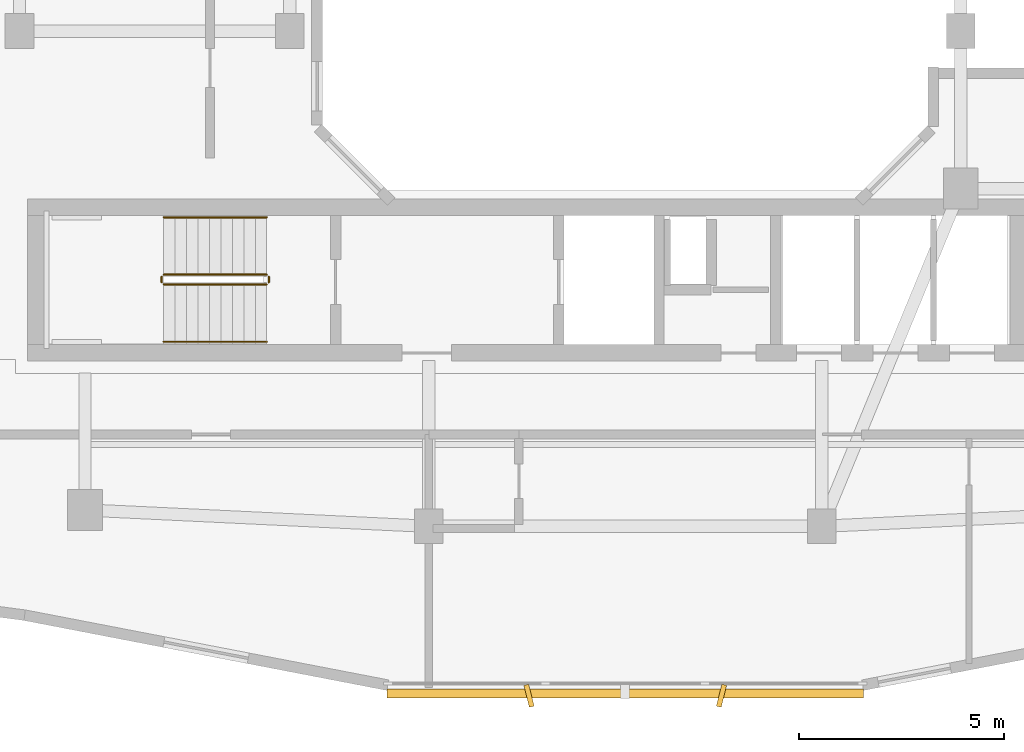
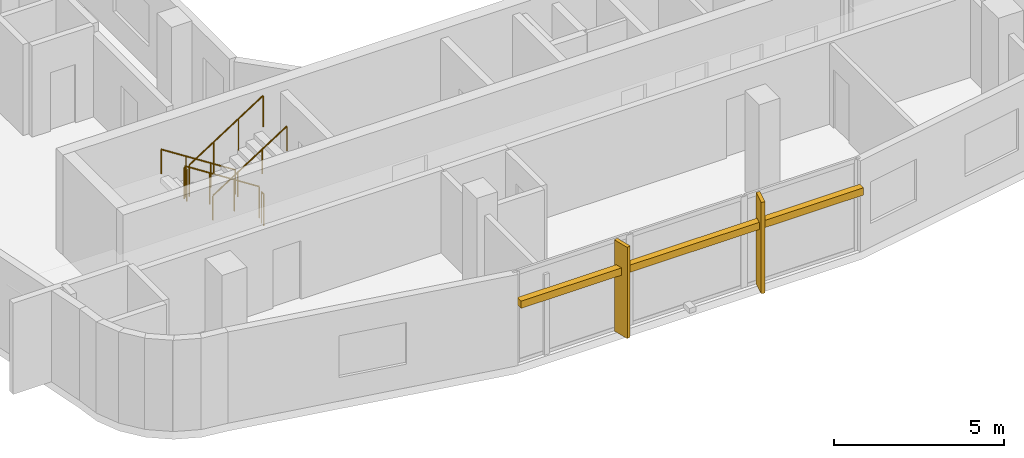
# One storey, part 9 of 12: 6 railings, 3 shading devices.
"""IFC4 building model written with IfcOpenShell, lengths in metres."""

from ifc_helpers import new_model, si_unit, derived_unit, direction, frame, origin, origin_2d, place, context, subcontext, project, spatial, rectangle, circle, extrude, material, type_object, element, save


model = new_model("IFC4")

# Units and contexts
model_context = context("Model", 3, precision=1e-05, world=origin(), true_north=direction((0.0, 1.0)))
body_context = subcontext(model_context, "Body", "Model", "MODEL_VIEW")
ifc_project = project(units=[si_unit("LENGTHUNIT", "METRE"), si_unit("AREAUNIT", "SQUARE_METRE"), si_unit("VOLUMEUNIT", "CUBIC_METRE"), si_unit("PLANEANGLEUNIT", "RADIAN"), si_unit("MASSUNIT", "GRAM", prefix="KILO"), derived_unit("THERMALTRANSMITTANCEUNIT", [(si_unit("POWERUNIT", "WATT"), 1), (si_unit("LENGTHUNIT", "METRE"), -2), (si_unit("THERMODYNAMICTEMPERATUREUNIT", "KELVIN"), -1)])], contexts=[model_context])

# Site, building, storey
site_placement = place(None, origin())
site = spatial("IfcSite", under=ifc_project, at=site_placement, CompositionType="ELEMENT")
building_placement = place(site_placement, origin())
building = spatial("IfcBuilding", under=site, at=building_placement, Name="Kivonza Crest Hotel", CompositionType="ELEMENT")
storey_placement = place(building_placement, frame((0.0, 0.0, 195.5)))
storey = spatial("IfcBuildingStorey", under=building, at=storey_placement, Name="L53", CompositionType="ELEMENT", Elevation=195.5)

# Railings
ifc_material_1 = material(Name="Brushed stainless steel handrail", Category="steel")
railing_type_1 = type_object("IfcRailingType", Name="RL-HAND-900", PredefinedType="HANDRAIL", material=ifc_material_1)
railing_1_placement = place(storey_placement, frame((12.239990234375, 16.949951171875, 0.179931640625)))
element("IfcRailing", 1, at=railing_1_placement, inside=storey, type_object=railing_type_1, Name="L53 ST-T1-S stair handrail 1", PredefinedType="HANDRAIL", context=body_context, shape_type="SweptSolid", body=[
    extrude(circle(Radius=0.02392578125, at=origin_2d()), frame((0.0, 0.0, 0.8759765625), z_axis=(-0.841162588446, 0.0, 0.540782303519), x_axis=(0.0, -1.0, 0.0)), (0.0, 0.0, 1.0), 2.995849609375),
    extrude(circle(Radius=0.02099609375, at=origin_2d()), origin(), (0.0, 0.0, 1.0), 0.851806640625),
    extrude(circle(Radius=0.02099609375, at=origin_2d()), frame((-0.840087890625, 0.0, 0.5400390625)), (0.0, 0.0, 1.0), 0.851806640625),
    extrude(circle(Radius=0.02099609375, at=origin_2d()), frame((-1.679931640625, 0.0, 1.080078125)), (0.0, 0.0, 1.0), 0.851806640625),
    extrude(circle(Radius=0.02099609375, at=origin_2d()), frame((-2.52001953125, 0.0, 1.6201171875)), (0.0, 0.0, 1.0), 0.851806640625),
])
railing_2_placement = place(storey_placement, frame((9.719970703125, 13.909912109375, 1.97998046875)))
element("IfcRailing", 2, at=railing_2_placement, inside=storey, type_object=railing_type_1, Name="L53 ST-T1-S stair handrail 2", PredefinedType="HANDRAIL", context=body_context, shape_type="SweptSolid", body=[
    extrude(circle(Radius=0.02392578125, at=origin_2d()), frame((0.0, 0.0, 0.8759765625), z_axis=(0.841162588446, 0.0, 0.540782303519), x_axis=(0.0, 1.0, 0.0)), (0.0, 0.0, 1.0), 2.995849609375),
    extrude(circle(Radius=0.02099609375, at=origin_2d()), origin(), (0.0, 0.0, 1.0), 0.851806640625),
    extrude(circle(Radius=0.02099609375, at=origin_2d()), frame((0.840087890625, 0.0, 0.5400390625)), (0.0, 0.0, 1.0), 0.851806640625),
    extrude(circle(Radius=0.02099609375, at=origin_2d()), frame((1.679931640625, 0.0, 1.080078125)), (0.0, 0.0, 1.0), 0.851806640625),
    extrude(circle(Radius=0.02099609375, at=origin_2d()), frame((2.52001953125, 0.0, 1.6201171875)), (0.0, 0.0, 1.0), 0.851806640625),
])
ifc_material_2 = material(Name="Painted steel balustrade", Category="steel")
railing_type_2 = type_object("IfcRailingType", Name="RL-STAIR-1150", PredefinedType="BALUSTRADE", material=ifc_material_2)
railing_3_placement = place(storey_placement, frame((12.239990234375, 15.550048828125, 0.179931640625)))
element("IfcRailing", 3, at=railing_3_placement, inside=storey, type_object=railing_type_2, Name="L53 ST-T1-S stair guard 1", PredefinedType="BALUSTRADE", context=body_context, shape_type="SweptSolid", body=[
    extrude(circle(Radius=0.02392578125, at=origin_2d()), frame((0.0, 0.0, 1.1259765625), z_axis=(-0.841162588446, 0.0, 0.540782303519), x_axis=(0.0, -1.0, 0.0)), (0.0, 0.0, 1.0), 2.995849609375),
    extrude(circle(Radius=0.02099609375, at=origin_2d()), origin(), (0.0, 0.0, 1.0), 1.101806640625),
    extrude(circle(Radius=0.02099609375, at=origin_2d()), frame((-0.840087890625, 0.0, 0.5400390625)), (0.0, 0.0, 1.0), 1.101806640625),
    extrude(circle(Radius=0.02099609375, at=origin_2d()), frame((-1.679931640625, 0.0, 1.080078125)), (0.0, 0.0, 1.0), 1.101806640625),
    extrude(circle(Radius=0.02099609375, at=origin_2d()), frame((-2.52001953125, 0.0, 1.6201171875)), (0.0, 0.0, 1.0), 1.101806640625),
])
railing_4_placement = place(storey_placement, frame((9.669921875, 15.5, 1.800048828125)))
element("IfcRailing", 4, at=railing_4_placement, inside=storey, type_object=railing_type_2, Name="L53 ST-T1-S stair guard 2", PredefinedType="BALUSTRADE", context=body_context, shape_type="SweptSolid", body=[
    extrude(circle(Radius=0.02392578125, at=origin_2d()), frame((0.0, 0.0, 1.1259765625), z_axis=(0.0, -1.0, 0.0), x_axis=(1.0, 0.0, 0.0)), (0.0, 0.0, 1.0), 0.139892578125),
    extrude(circle(Radius=0.02099609375, at=origin_2d()), origin(), (0.0, 0.0, 1.0), 1.101806640625),
    extrude(circle(Radius=0.02099609375, at=origin_2d()), frame((0.0, -0.139892578125, 0.0)), (0.0, 0.0, 1.0), 1.101806640625),
])
railing_5_placement = place(storey_placement, frame((9.719970703125, 15.31005859375, 1.97998046875)))
element("IfcRailing", 5, at=railing_5_placement, inside=storey, type_object=railing_type_2, Name="L53 ST-T1-S stair guard 3", PredefinedType="BALUSTRADE", context=body_context, shape_type="SweptSolid", body=[
    extrude(circle(Radius=0.02392578125, at=origin_2d()), frame((0.0, 0.0, 1.1259765625), z_axis=(0.841162588446, 0.0, 0.540782303519), x_axis=(0.0, 1.0, 0.0)), (0.0, 0.0, 1.0), 2.995849609375),
    extrude(circle(Radius=0.02099609375, at=origin_2d()), origin(), (0.0, 0.0, 1.0), 1.101806640625),
    extrude(circle(Radius=0.02099609375, at=origin_2d()), frame((0.840087890625, 0.0, 0.5400390625)), (0.0, 0.0, 1.0), 1.101806640625),
    extrude(circle(Radius=0.02099609375, at=origin_2d()), frame((1.679931640625, 0.0, 1.080078125)), (0.0, 0.0, 1.0), 1.101806640625),
    extrude(circle(Radius=0.02099609375, at=origin_2d()), frame((2.52001953125, 0.0, 1.6201171875)), (0.0, 0.0, 1.0), 1.101806640625),
])
railing_6_placement = place(storey_placement, frame((12.2900390625, 15.5, 0.0)))
element("IfcRailing", 6, at=railing_6_placement, inside=storey, type_object=railing_type_2, Name="L53 ST-T1-S stair guard 4", PredefinedType="BALUSTRADE", context=body_context, shape_type="SweptSolid", body=[
    extrude(circle(Radius=0.02392578125, at=origin_2d()), frame((0.0, 0.0, 1.1259765625), z_axis=(0.0, -1.0, 0.0), x_axis=(1.0, 0.0, 0.0)), (0.0, 0.0, 1.0), 0.139892578125),
    extrude(circle(Radius=0.02099609375, at=origin_2d()), origin(), (0.0, 0.0, 1.0), 1.101806640625),
    extrude(circle(Radius=0.02099609375, at=origin_2d()), frame((0.0, -0.139892578125, 0.0)), (0.0, 0.0, 1.0), 1.101806640625),
])

# Shading devices
ifc_material_3 = material(Name="Kiln-fired Nairobi red-ochre terracotta", Category="masonry")
shading_device_type_1 = type_object("IfcShadingDeviceType", Name="SH-BAGUETTE-300", PredefinedType="USERDEFINED", material=ifc_material_3)
shading_device_placement = place(storey_placement, frame((21.0, 5.320068359375, 2.166015625), z_axis=(0.0, 0.0, 1.0), x_axis=(1.0, 0.0, 0.0)))
element("IfcShadingDevice", 7, at=shading_device_placement, inside=storey, type_object=shading_device_type_1, Name="L53 terracotta baguette screen CW-T1-L53-08", ObjectType="BAGUETTE", PredefinedType="USERDEFINED", context=body_context, shape_type="SweptSolid", body=[
    extrude(rectangle(XDim=11.639892578125, YDim=0.219970703125, at=origin_2d()), origin(), (0.0, 0.0, 1.0), 0.260009765625),
])
ifc_material_4 = material(Name="Kiln-fired terracotta over extruded aluminium spine", Category="masonry")
shading_device_type_2 = type_object("IfcShadingDeviceType", Name="SH-FIN-550", PredefinedType="USERDEFINED", material=ifc_material_4)
for number, where, z_axis, x_axis, name in (
    (8, (18.64794921875, 5.260009765625, 0.0), (0.0, 0.0, 1.0), (0.970295726276, 0.2419218956, 0.0), "L53 vertical solar shading fin CW-T1-L53-08-1"),
    (9, (23.35205078125, 5.260009765625, 0.0), (0.0, 0.0, 1.0), (0.970295726276, -0.2419218956, 0.0), "L53 vertical solar shading fin CW-T1-L53-08-2"),
):
    element("IfcShadingDevice", number, at=place(storey_placement, frame(where, z_axis=z_axis, x_axis=x_axis)), inside=storey, type_object=shading_device_type_2, Name=name, ObjectType="FIN", PredefinedType="USERDEFINED", context=body_context, shape_type="SweptSolid", body=[
        extrude(rectangle(XDim=0.1201171875, YDim=0.550048828125, at=origin_2d()), origin(), (0.0, 0.0, 1.0), 3.280029296875),
    ])

save(model, "model.ifc")
